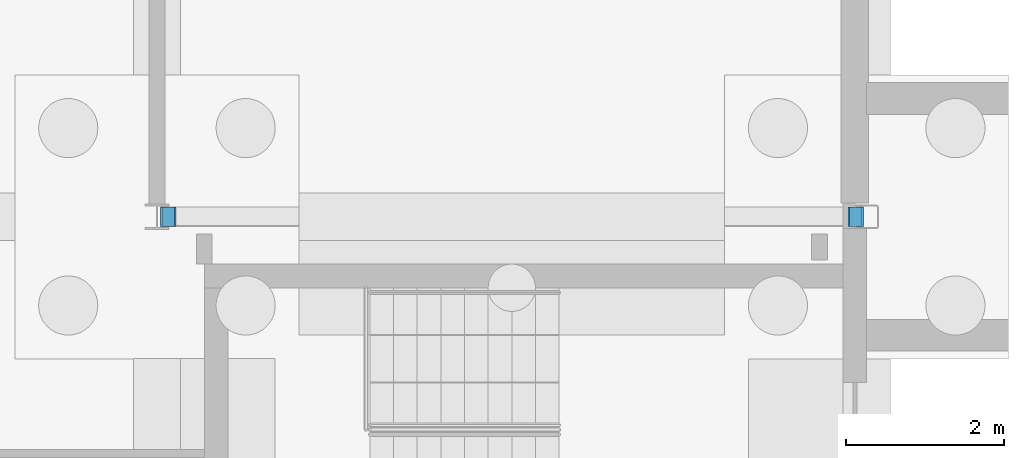
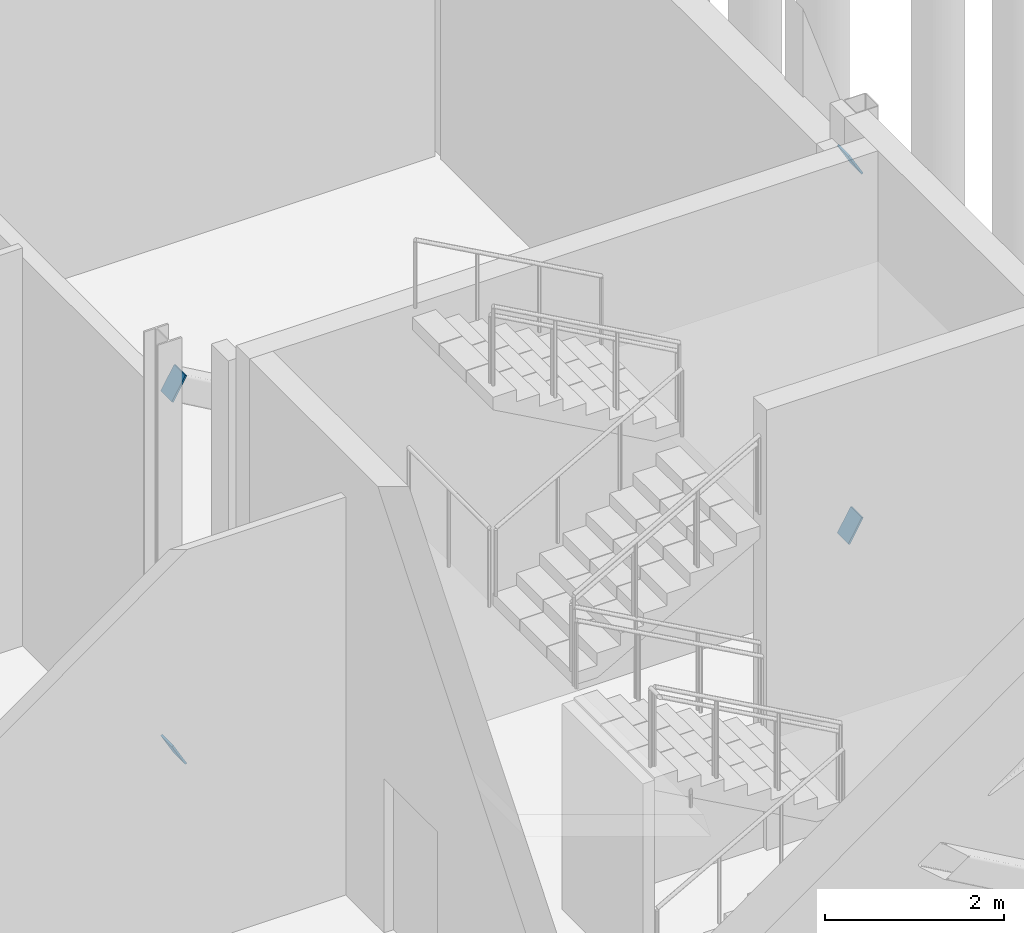
# One storey, part 123 of 139: 4 discrete accessories.
"""IFC4 building model written with IfcOpenShell, lengths in metres."""

from ifc_helpers import new_model, si_unit, direction, frame, origin, place, context, subcontext, project, spatial, polyline, outline, extrude, material, layer, layer_set, type_object, element, save


model = new_model("IFC4")

# Units and contexts
model_context = context("Model", 3, precision=1e-05, world=origin(), true_north=direction((0.0, 1.0)))
body_context = subcontext(model_context, "Body", "Model", "MODEL_VIEW")
ifc_project = project(units=[si_unit("LENGTHUNIT", "METRE"), si_unit("AREAUNIT", "SQUARE_METRE"), si_unit("VOLUMEUNIT", "CUBIC_METRE"), si_unit("PLANEANGLEUNIT", "RADIAN"), si_unit("MASSUNIT", "GRAM", prefix="KILO")], contexts=[model_context])

# Site, building, storey
site_placement = place(None, origin())
site = spatial("IfcSite", under=ifc_project, at=site_placement, CompositionType="ELEMENT")
building_placement = place(site_placement, origin())
building = spatial("IfcBuilding", under=site, at=building_placement, Name="Shorebreak Coast Museum", CompositionType="ELEMENT")
storey_placement = place(building_placement, origin())
storey = spatial("IfcBuildingStorey", under=building, at=storey_placement, Name="L00", CompositionType="ELEMENT", Elevation=0.0)

# Discrete accessories
ifc_material = material(Name="Steel Grade 300", Category="steel")
ifc_layer = layer(ifc_material, 0.02490234375)
ifc_layer_set = layer_set([ifc_layer], Name="Steel Grade 300")
discrete_accessory_type = type_object("IfcDiscreteAccessoryType", Name="End plate 250 x 350 x 25", PredefinedType="BRACKET", material=ifc_layer_set)
discrete_accessory_1_placement = place(storey_placement, frame((108.241455078125, 35.875, 0.148193359375), z_axis=(0.86789946656, 0.0, 0.496739887613), x_axis=(0.0, 1.0, 0.0)))
element("IfcDiscreteAccessory", 1, at=discrete_accessory_1_placement, inside=storey, type_object=discrete_accessory_type, Name="End plate X-brace bay 18 L00 diagonal 1 end 1", PredefinedType="BRACKET", context=body_context, shape_type="SweptSolid", body=[
    extrude(outline(polyline([(0.0, 0.0), (0.25, 0.0), (0.25, 0.34993792392100703), (0.0, 0.34993792392100703), (0.0, 0.0)])), origin(), (0.0, 0.0, -1.0), 0.02490234375),
])
discrete_accessory_2_placement = place(storey_placement, frame((116.95849609375, 35.875, 5.135498046875), z_axis=(0.868200190556, 0.0, 0.496214096049), x_axis=(0.0, 1.0, 0.0)))
element("IfcDiscreteAccessory", 2, at=discrete_accessory_2_placement, inside=storey, type_object=discrete_accessory_type, Name="End plate X-brace bay 18 L00 diagonal 1 end 2", PredefinedType="BRACKET", context=body_context, shape_type="SweptSolid", body=[
    extrude(outline(polyline([(0.0, 0.0), (0.25, 0.0), (0.25, 0.3498167137068055), (0.0, 0.3498167137068055), (0.0, 0.0)])), origin(), (0.0, 0.0, -1.0), 0.02490234375),
])
for number, where, z_axis, x_axis, name in (
    (3, (116.76318359375, 36.125, 0.148193359375), (-0.86789946656, 0.0, 0.496739887613), (0.0, -1.0, 0.0), "End plate X-brace bay 18 L00 diagonal 2 end 1"),
    (4, (108.0458984375, 36.125, 5.135498046875), (-0.86789946656, 0.0, 0.496739887613), (0.0, -1.0, 0.0), "End plate X-brace bay 18 L00 diagonal 2 end 2"),
):
    element("IfcDiscreteAccessory", number, at=place(storey_placement, frame(where, z_axis=z_axis, x_axis=x_axis)), inside=storey, type_object=discrete_accessory_type, Name=name, PredefinedType="BRACKET", context=body_context, shape_type="SweptSolid", body=[
        extrude(outline(polyline([(0.0, 0.0), (0.25, 0.0), (0.25, 0.34993792392100703), (0.0, 0.34993792392100703), (0.0, 0.0)])), origin(), (0.0, 0.0, -1.0), 0.02490234375),
    ])

save(model, "model.ifc")
